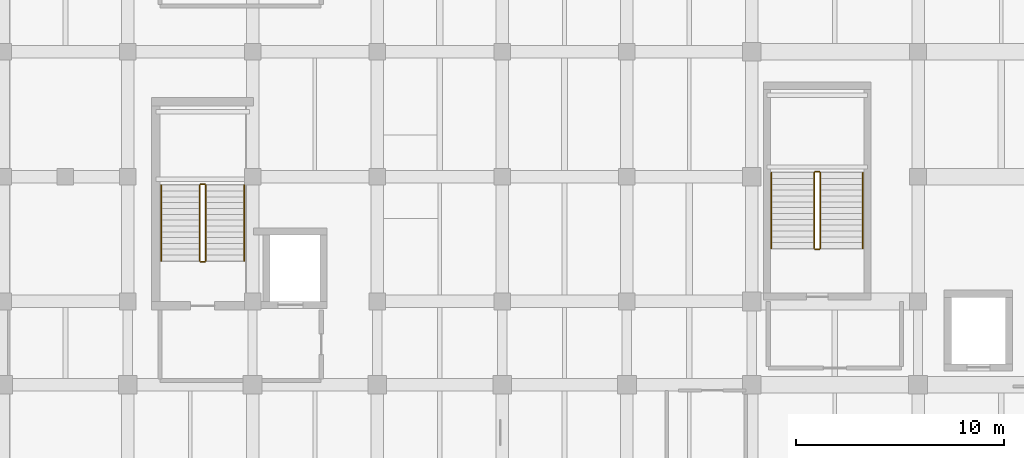
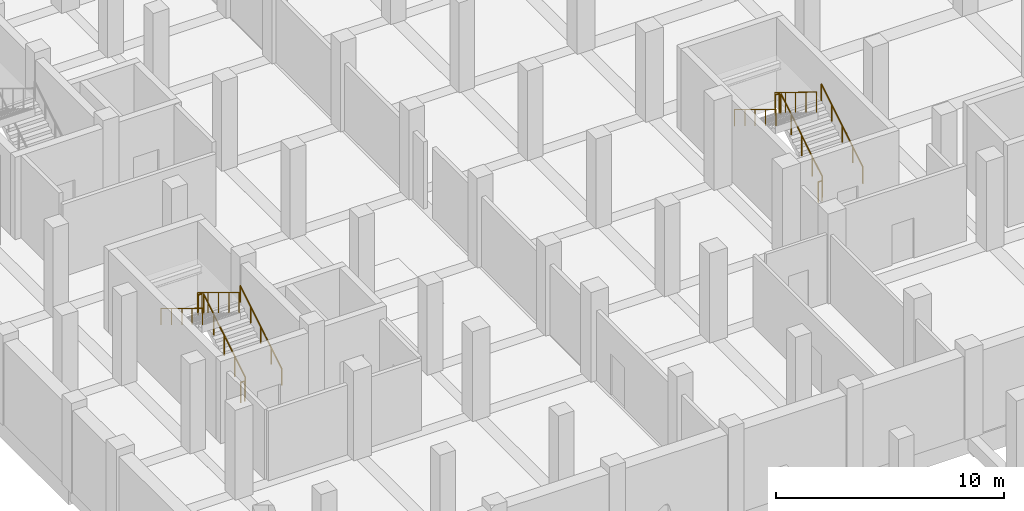
# One storey, part 28 of 36: 12 railings.
"""IFC4 building model written with IfcOpenShell, lengths in metres."""

from ifc_helpers import new_model, si_unit, direction, frame, origin, origin_2d, place, context, subcontext, project, spatial, circle, extrude, material, type_object, element, save


model = new_model("IFC4")

# Units and contexts
model_context = context("Model", 3, precision=1e-05, world=origin(), true_north=direction((0.0, 1.0)))
body_context = subcontext(model_context, "Body", "Model", "MODEL_VIEW")
ifc_project = project(units=[si_unit("LENGTHUNIT", "METRE"), si_unit("AREAUNIT", "SQUARE_METRE"), si_unit("VOLUMEUNIT", "CUBIC_METRE"), si_unit("PLANEANGLEUNIT", "RADIAN"), si_unit("MASSUNIT", "GRAM", prefix="KILO")], contexts=[model_context])

# Site, building, storey
site_placement = place(None, origin())
site = spatial("IfcSite", under=ifc_project, at=site_placement, CompositionType="ELEMENT")
building_placement = place(site_placement, origin())
building = spatial("IfcBuilding", under=site, at=building_placement, Name="Verrall Gate Interchange", CompositionType="ELEMENT")
storey_placement = place(building_placement, frame((0.0, 0.0, -4.800048828125)))
storey = spatial("IfcBuildingStorey", under=building, at=storey_placement, Name="B1", CompositionType="ELEMENT", Elevation=-4.800048828125)

# Railings
ifc_material_1 = material(Name="Brushed Stainless-Steel Guardrail and Handrail System", Category="steel")
railing_type_1 = type_object("IfcRailingType", Name="GR-02 Interior Atrium and Stair Guardrail 1100", PredefinedType="GUARDRAIL", material=ifc_material_1)
railing_1_placement = place(storey_placement, frame((9.75, 17.949951171875, 0.17138671875)))
element("IfcRailing", 1, at=railing_1_placement, inside=storey, type_object=railing_type_1, Name="B1 ST-01 stair guard 1", PredefinedType="GUARDRAIL", context=body_context, shape_type="SweptSolid", body=[
    extrude(circle(Radius=0.02392578125, at=origin_2d()), frame((0.0, 0.0, 1.076171875), z_axis=(0.0, 0.852840387347, 0.522171689878), x_axis=(-1.0, 0.0, 0.0)), (0.0, 0.0, 1.0), 4.268310546875),
    extrude(circle(Radius=0.02099609375, at=origin_2d()), origin(), (0.0, 0.0, 1.0), 1.052001953125),
    extrude(circle(Radius=0.02099609375, at=origin_2d()), frame((0.0, 0.91015625, 0.55712890625)), (0.0, 0.0, 1.0), 1.052001953125),
    extrude(circle(Radius=0.02099609375, at=origin_2d()), frame((0.0, 1.820068359375, 1.1142578125)), (0.0, 0.0, 1.0), 1.052001953125),
    extrude(circle(Radius=0.02099609375, at=origin_2d()), frame((0.0, 2.72998046875, 1.671630859375)), (0.0, 0.0, 1.0), 1.052001953125),
    extrude(circle(Radius=0.02099609375, at=origin_2d()), frame((0.0, 3.64013671875, 2.228759765625)), (0.0, 0.0, 1.0), 1.052001953125),
])
railing_2_placement = place(storey_placement, frame((9.699951171875, 21.639892578125, 2.400146484375)))
element("IfcRailing", 2, at=railing_2_placement, inside=storey, type_object=railing_type_1, Name="B1 ST-01 stair guard 2", PredefinedType="GUARDRAIL", context=body_context, shape_type="SweptSolid", body=[
    extrude(circle(Radius=0.02392578125, at=origin_2d()), frame((0.0, 0.0, 1.076171875), z_axis=(-1.0, 0.0, 0.0), x_axis=(0.0, -1.0, 0.0)), (0.0, 0.0, 1.0), 0.199951171875),
    extrude(circle(Radius=0.02099609375, at=origin_2d()), origin(), (0.0, 0.0, 1.0), 1.052001953125),
    extrude(circle(Radius=0.02099609375, at=origin_2d()), frame((-0.199951171875, 0.0, 0.0)), (0.0, 0.0, 1.0), 1.052001953125),
])
railing_3_placement = place(storey_placement, frame((9.449951171875, 21.590087890625, 2.571533203125)))
element("IfcRailing", 3, at=railing_3_placement, inside=storey, type_object=railing_type_1, Name="B1 ST-01 stair guard 3", PredefinedType="GUARDRAIL", context=body_context, shape_type="SweptSolid", body=[
    extrude(circle(Radius=0.02392578125, at=origin_2d()), frame((0.0, 0.0, 1.076171875), z_axis=(0.0, -0.852865859571, 0.52213008492), x_axis=(1.0, 0.0, 0.0)), (0.0, 0.0, 1.0), 4.26806640625),
    extrude(circle(Radius=0.02099609375, at=origin_2d()), origin(), (0.0, 0.0, 1.0), 1.052001953125),
    extrude(circle(Radius=0.02099609375, at=origin_2d()), frame((0.0, -0.91015625, 0.55712890625)), (0.0, 0.0, 1.0), 1.052001953125),
    extrude(circle(Radius=0.02099609375, at=origin_2d()), frame((0.0, -1.820068359375, 1.1142578125)), (0.0, 0.0, 1.0), 1.052001953125),
    extrude(circle(Radius=0.02099609375, at=origin_2d()), frame((0.0, -2.72998046875, 1.67138671875)), (0.0, 0.0, 1.0), 1.052001953125),
    extrude(circle(Radius=0.02099609375, at=origin_2d()), frame((0.0, -3.64013671875, 2.228515625)), (0.0, 0.0, 1.0), 1.052001953125),
])
railing_4_placement = place(storey_placement, frame((9.699951171875, 17.89990234375, 0.0)))
element("IfcRailing", 4, at=railing_4_placement, inside=storey, type_object=railing_type_1, Name="B1 ST-01 stair guard 4", PredefinedType="GUARDRAIL", context=body_context, shape_type="SweptSolid", body=[
    extrude(circle(Radius=0.02392578125, at=origin_2d()), frame((0.0, 0.0, 1.076171875), z_axis=(-1.0, 0.0, 0.0), x_axis=(0.0, -1.0, 0.0)), (0.0, 0.0, 1.0), 0.199951171875),
    extrude(circle(Radius=0.02099609375, at=origin_2d()), origin(), (0.0, 0.0, 1.0), 1.052001953125),
    extrude(circle(Radius=0.02099609375, at=origin_2d()), frame((-0.199951171875, 0.0, 0.0)), (0.0, 0.0, 1.0), 1.052001953125),
])
railing_5_placement = place(storey_placement, frame((39.300048828125, 18.550048828125, 0.17138671875)))
element("IfcRailing", 5, at=railing_5_placement, inside=storey, type_object=railing_type_1, Name="B1 ST-05 stair guard 1", PredefinedType="GUARDRAIL", context=body_context, shape_type="SweptSolid", body=[
    extrude(circle(Radius=0.02392578125, at=origin_2d()), frame((0.0, 0.0, 1.076171875), z_axis=(0.0, 0.852824790078, 0.522197163366), x_axis=(-1.0, 0.0, 0.0)), (0.0, 0.0, 1.0), 4.26806640625),
    extrude(circle(Radius=0.02099609375, at=origin_2d()), origin(), (0.0, 0.0, 1.0), 1.052001953125),
    extrude(circle(Radius=0.02099609375, at=origin_2d()), frame((0.0, 0.909912109375, 0.55712890625)), (0.0, 0.0, 1.0), 1.052001953125),
    extrude(circle(Radius=0.02099609375, at=origin_2d()), frame((0.0, 1.81982421875, 1.1142578125)), (0.0, 0.0, 1.0), 1.052001953125),
    extrude(circle(Radius=0.02099609375, at=origin_2d()), frame((0.0, 2.72998046875, 1.671630859375)), (0.0, 0.0, 1.0), 1.052001953125),
    extrude(circle(Radius=0.02099609375, at=origin_2d()), frame((0.0, 3.639892578125, 2.228759765625)), (0.0, 0.0, 1.0), 1.052001953125),
])
railing_6_placement = place(storey_placement, frame((39.25, 22.239990234375, 2.400146484375)))
element("IfcRailing", 6, at=railing_6_placement, inside=storey, type_object=railing_type_1, Name="B1 ST-05 stair guard 2", PredefinedType="GUARDRAIL", context=body_context, shape_type="SweptSolid", body=[
    extrude(circle(Radius=0.02392578125, at=origin_2d()), frame((0.0, 0.0, 1.076171875), z_axis=(-1.0, 0.0, 0.0), x_axis=(0.0, -1.0, 0.0)), (0.0, 0.0, 1.0), 0.199951171875),
    extrude(circle(Radius=0.02099609375, at=origin_2d()), origin(), (0.0, 0.0, 1.0), 1.052001953125),
    extrude(circle(Radius=0.02099609375, at=origin_2d()), frame((-0.199951171875, 0.0, 0.0)), (0.0, 0.0, 1.0), 1.052001953125),
])
railing_7_placement = place(storey_placement, frame((39.0, 22.18994140625, 2.571533203125)))
element("IfcRailing", 7, at=railing_7_placement, inside=storey, type_object=railing_type_1, Name="B1 ST-05 stair guard 3", PredefinedType="GUARDRAIL", context=body_context, shape_type="SweptSolid", body=[
    extrude(circle(Radius=0.02392578125, at=origin_2d()), frame((0.0, 0.0, 1.076171875), z_axis=(0.0, -0.852850264322, 0.5221555579), x_axis=(1.0, 0.0, 0.0)), (0.0, 0.0, 1.0), 4.267822265625),
    extrude(circle(Radius=0.02099609375, at=origin_2d()), origin(), (0.0, 0.0, 1.0), 1.052001953125),
    extrude(circle(Radius=0.02099609375, at=origin_2d()), frame((0.0, -0.909912109375, 0.55712890625)), (0.0, 0.0, 1.0), 1.052001953125),
    extrude(circle(Radius=0.02099609375, at=origin_2d()), frame((0.0, -1.81982421875, 1.1142578125)), (0.0, 0.0, 1.0), 1.052001953125),
    extrude(circle(Radius=0.02099609375, at=origin_2d()), frame((0.0, -2.72998046875, 1.67138671875)), (0.0, 0.0, 1.0), 1.052001953125),
    extrude(circle(Radius=0.02099609375, at=origin_2d()), frame((0.0, -3.639892578125, 2.228515625)), (0.0, 0.0, 1.0), 1.052001953125),
])
railing_8_placement = place(storey_placement, frame((39.25, 18.5, 0.0)))
element("IfcRailing", 8, at=railing_8_placement, inside=storey, type_object=railing_type_1, Name="B1 ST-05 stair guard 4", PredefinedType="GUARDRAIL", context=body_context, shape_type="SweptSolid", body=[
    extrude(circle(Radius=0.02392578125, at=origin_2d()), frame((0.0, 0.0, 1.076171875), z_axis=(-1.0, 0.0, 0.0), x_axis=(0.0, -1.0, 0.0)), (0.0, 0.0, 1.0), 0.199951171875),
    extrude(circle(Radius=0.02099609375, at=origin_2d()), origin(), (0.0, 0.0, 1.0), 1.052001953125),
    extrude(circle(Radius=0.02099609375, at=origin_2d()), frame((-0.199951171875, 0.0, 0.0)), (0.0, 0.0, 1.0), 1.052001953125),
])
ifc_material_2 = material(Name="Brushed Stainless-Steel Guardrail and Handrail System", Category="steel")
railing_type_2 = type_object("IfcRailingType", Name="HR-01 Stair and Ramp Pitch-Line Handrail 920", PredefinedType="HANDRAIL", material=ifc_material_2)
railing_9_placement = place(storey_placement, frame((11.60009765625, 17.949951171875, 0.17138671875)))
element("IfcRailing", 9, at=railing_9_placement, inside=storey, type_object=railing_type_2, Name="B1 ST-01 stair handrail 1", PredefinedType="HANDRAIL", context=body_context, shape_type="SweptSolid", body=[
    extrude(circle(Radius=0.02392578125, at=origin_2d()), frame((0.0, 0.0, 0.8759765625), z_axis=(0.0, 0.852840387347, 0.522171689878), x_axis=(-1.0, 0.0, 0.0)), (0.0, 0.0, 1.0), 4.268310546875),
    extrude(circle(Radius=0.02099609375, at=origin_2d()), origin(), (0.0, 0.0, 1.0), 0.851806640625),
    extrude(circle(Radius=0.02099609375, at=origin_2d()), frame((0.0, 0.91015625, 0.55712890625)), (0.0, 0.0, 1.0), 0.851806640625),
    extrude(circle(Radius=0.02099609375, at=origin_2d()), frame((0.0, 1.820068359375, 1.1142578125)), (0.0, 0.0, 1.0), 0.851806640625),
    extrude(circle(Radius=0.02099609375, at=origin_2d()), frame((0.0, 2.72998046875, 1.671630859375)), (0.0, 0.0, 1.0), 0.851806640625),
    extrude(circle(Radius=0.02099609375, at=origin_2d()), frame((0.0, 3.64013671875, 2.228759765625)), (0.0, 0.0, 1.0), 0.851806640625),
])
railing_10_placement = place(storey_placement, frame((7.60009765625, 21.590087890625, 2.571533203125)))
element("IfcRailing", 10, at=railing_10_placement, inside=storey, type_object=railing_type_2, Name="B1 ST-01 stair handrail 2", PredefinedType="HANDRAIL", context=body_context, shape_type="SweptSolid", body=[
    extrude(circle(Radius=0.02392578125, at=origin_2d()), frame((0.0, 0.0, 0.8759765625), z_axis=(0.0, -0.852865859571, 0.52213008492), x_axis=(1.0, 0.0, 0.0)), (0.0, 0.0, 1.0), 4.26806640625),
    extrude(circle(Radius=0.02099609375, at=origin_2d()), origin(), (0.0, 0.0, 1.0), 0.851806640625),
    extrude(circle(Radius=0.02099609375, at=origin_2d()), frame((0.0, -0.91015625, 0.55712890625)), (0.0, 0.0, 1.0), 0.851806640625),
    extrude(circle(Radius=0.02099609375, at=origin_2d()), frame((0.0, -1.820068359375, 1.1142578125)), (0.0, 0.0, 1.0), 0.851806640625),
    extrude(circle(Radius=0.02099609375, at=origin_2d()), frame((0.0, -2.72998046875, 1.67138671875)), (0.0, 0.0, 1.0), 0.851806640625),
    extrude(circle(Radius=0.02099609375, at=origin_2d()), frame((0.0, -3.64013671875, 2.228515625)), (0.0, 0.0, 1.0), 0.851806640625),
])
railing_11_placement = place(storey_placement, frame((41.35009765625, 18.550048828125, 0.17138671875)))
element("IfcRailing", 11, at=railing_11_placement, inside=storey, type_object=railing_type_2, Name="B1 ST-05 stair handrail 1", PredefinedType="HANDRAIL", context=body_context, shape_type="SweptSolid", body=[
    extrude(circle(Radius=0.02392578125, at=origin_2d()), frame((0.0, 0.0, 0.8759765625), z_axis=(0.0, 0.852824790078, 0.522197163366), x_axis=(-1.0, 0.0, 0.0)), (0.0, 0.0, 1.0), 4.26806640625),
    extrude(circle(Radius=0.02099609375, at=origin_2d()), origin(), (0.0, 0.0, 1.0), 0.851806640625),
    extrude(circle(Radius=0.02099609375, at=origin_2d()), frame((0.0, 0.909912109375, 0.55712890625)), (0.0, 0.0, 1.0), 0.851806640625),
    extrude(circle(Radius=0.02099609375, at=origin_2d()), frame((0.0, 1.81982421875, 1.1142578125)), (0.0, 0.0, 1.0), 0.851806640625),
    extrude(circle(Radius=0.02099609375, at=origin_2d()), frame((0.0, 2.72998046875, 1.671630859375)), (0.0, 0.0, 1.0), 0.851806640625),
    extrude(circle(Radius=0.02099609375, at=origin_2d()), frame((0.0, 3.639892578125, 2.228759765625)), (0.0, 0.0, 1.0), 0.851806640625),
])
railing_12_placement = place(storey_placement, frame((36.949951171875, 22.18994140625, 2.571533203125)))
element("IfcRailing", 12, at=railing_12_placement, inside=storey, type_object=railing_type_2, Name="B1 ST-05 stair handrail 2", PredefinedType="HANDRAIL", context=body_context, shape_type="SweptSolid", body=[
    extrude(circle(Radius=0.02392578125, at=origin_2d()), frame((0.0, 0.0, 0.8759765625), z_axis=(0.0, -0.852850264322, 0.5221555579), x_axis=(1.0, 0.0, 0.0)), (0.0, 0.0, 1.0), 4.267822265625),
    extrude(circle(Radius=0.02099609375, at=origin_2d()), origin(), (0.0, 0.0, 1.0), 0.851806640625),
    extrude(circle(Radius=0.02099609375, at=origin_2d()), frame((0.0, -0.909912109375, 0.55712890625)), (0.0, 0.0, 1.0), 0.851806640625),
    extrude(circle(Radius=0.02099609375, at=origin_2d()), frame((0.0, -1.81982421875, 1.1142578125)), (0.0, 0.0, 1.0), 0.851806640625),
    extrude(circle(Radius=0.02099609375, at=origin_2d()), frame((0.0, -2.72998046875, 1.67138671875)), (0.0, 0.0, 1.0), 0.851806640625),
    extrude(circle(Radius=0.02099609375, at=origin_2d()), frame((0.0, -3.639892578125, 2.228515625)), (0.0, 0.0, 1.0), 0.851806640625),
])

save(model, "model.ifc")
